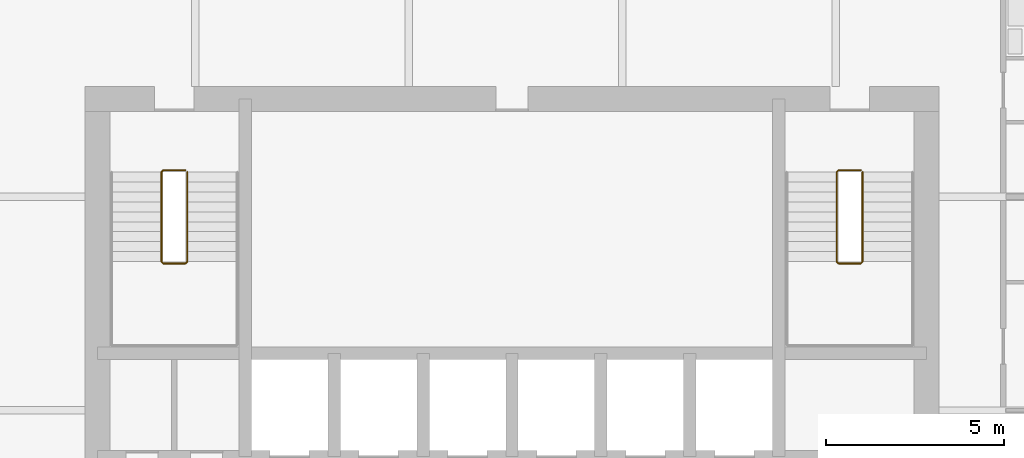
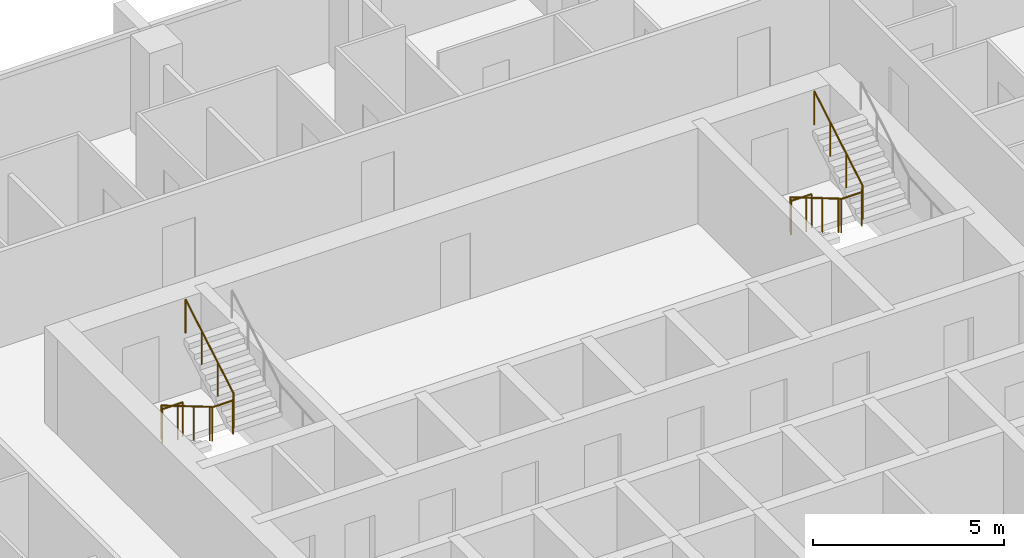
# One storey, part 10 of 11: 2 railings.
"""IFC4 building model written with IfcOpenShell, lengths in metres."""

from ifc_helpers import new_model, si_unit, direction, frame, origin, origin_2d, place, context, subcontext, project, spatial, circle, extrude, material, type_object, element, save


model = new_model("IFC4")

# Units and contexts
model_context = context("Model", 3, precision=1e-05, world=origin(), true_north=direction((0.0, 1.0)))
body_context = subcontext(model_context, "Body", "Model", "MODEL_VIEW")
ifc_project = project(units=[si_unit("LENGTHUNIT", "METRE"), si_unit("AREAUNIT", "SQUARE_METRE"), si_unit("VOLUMEUNIT", "CUBIC_METRE"), si_unit("PLANEANGLEUNIT", "RADIAN"), si_unit("MASSUNIT", "GRAM", prefix="KILO")], contexts=[model_context])

# Site, building, storey
site_placement = place(None, origin())
site = spatial("IfcSite", under=ifc_project, at=site_placement, CompositionType="ELEMENT")
building_placement = place(site_placement, origin())
building = spatial("IfcBuilding", under=site, at=building_placement, Name="Amberfall Residences", CompositionType="ELEMENT")
storey_placement = place(building_placement, frame((0.0, 0.0, 154.89990234375)))
storey = spatial("IfcBuildingStorey", under=building, at=storey_placement, Name="L41", CompositionType="ELEMENT", Elevation=154.89990234375)

# Railings
ifc_material = material(Name="Stainless steel 316", Category="steel")
railing_type = type_object("IfcRailingType", Name="Stair guard 1100", PredefinedType="GUARDRAIL", material=ifc_material)
railing_1_placement = place(storey_placement, frame((84.300048828125, 55.14990234375, 0.0)))
element("IfcRailing", 1, at=railing_1_placement, inside=storey, type_object=railing_type, Name="L41 stair 3 guard", PredefinedType="GUARDRAIL", context=body_context, shape_type="SweptSolid", body=[
    extrude(circle(Radius=0.02392578125, at=origin_2d()), frame((0.0, 0.0, 1.076171875), z_axis=(-1.0, 0.0, 0.0), x_axis=(0.0, -1.0, 0.0)), (0.0, 0.0, 1.0), 0.625),
    extrude(circle(Radius=0.02392578125, at=origin_2d()), frame((-0.625, 0.0, 1.076171875), z_axis=(-0.278810427259, -0.277450376394, 0.919394384522), x_axis=(0.705375805398, -0.708833529934, 0.0)), (0.0, 0.0, 1.0), 0.179443359375),
    extrude(circle(Radius=0.02392578125, at=origin_2d()), frame((-0.675048828125, -0.0498046875, 1.2412109375), z_axis=(0.0, -0.86152411907, 0.507716645641), x_axis=(1.0, 0.0, 0.0)), (0.0, 0.0, 1.0), 2.925048828125),
    extrude(circle(Radius=0.02392578125, at=origin_2d()), frame((-0.675048828125, -2.56982421875, 2.72607421875), z_axis=(0.707106781187, -0.707106781187, 0.0), x_axis=(0.707106781187, 0.707106781187, 0.0)), (0.0, 0.0, 1.0), 0.07080078125),
    extrude(circle(Radius=0.02392578125, at=origin_2d()), frame((-0.625, -2.619873046875, 2.72607421875), z_axis=(1.0, 0.0, 0.0), x_axis=(0.0, 1.0, 0.0)), (0.0, 0.0, 1.0), 0.625),
    extrude(circle(Radius=0.02392578125, at=origin_2d()), frame((0.0, -2.619873046875, 2.72607421875), z_axis=(0.278705021027, 0.278705021027, 0.919046801044), x_axis=(-0.707106781187, 0.707106781187, 0.0)), (0.0, 0.0, 1.0), 0.1796875),
    extrude(circle(Radius=0.02392578125, at=origin_2d()), frame((0.050048828125, -2.56982421875, 2.89111328125), z_axis=(0.0, 0.861560626758, 0.507654692109), x_axis=(-1.0, 0.0, 0.0)), (0.0, 0.0, 1.0), 2.925048828125),
    extrude(circle(Radius=0.02099609375, at=origin_2d()), origin(), (0.0, 0.0, 1.0), 1.052001953125),
    extrude(circle(Radius=0.02099609375, at=origin_2d()), frame((-0.625, 0.0, 0.0)), (0.0, 0.0, 1.0), 1.052001953125),
    extrude(circle(Radius=0.02099609375, at=origin_2d()), frame((-0.675048828125, -0.0498046875, 0.1650390625)), (0.0, 0.0, 1.0), 1.052001953125),
    extrude(circle(Radius=0.02099609375, at=origin_2d()), frame((-0.675048828125, -0.889892578125, 0.66015625)), (0.0, 0.0, 1.0), 1.052001953125),
    extrude(circle(Radius=0.02099609375, at=origin_2d()), frame((-0.675048828125, -1.729736328125, 1.155029296875)), (0.0, 0.0, 1.0), 1.052001953125),
    extrude(circle(Radius=0.02099609375, at=origin_2d()), frame((-0.675048828125, -2.56982421875, 1.650146484375)), (0.0, 0.0, 1.0), 1.052001953125),
    extrude(circle(Radius=0.02099609375, at=origin_2d()), frame((-0.625, -2.619873046875, 1.650146484375)), (0.0, 0.0, 1.0), 1.052001953125),
    extrude(circle(Radius=0.02099609375, at=origin_2d()), frame((0.0, -2.619873046875, 1.650146484375)), (0.0, 0.0, 1.0), 1.052001953125),
    extrude(circle(Radius=0.02099609375, at=origin_2d()), frame((0.050048828125, -2.56982421875, 1.815185546875)), (0.0, 0.0, 1.0), 1.052001953125),
    extrude(circle(Radius=0.02099609375, at=origin_2d()), frame((0.050048828125, -1.729736328125, 2.31005859375)), (0.0, 0.0, 1.0), 1.052001953125),
    extrude(circle(Radius=0.02099609375, at=origin_2d()), frame((0.050048828125, -0.889892578125, 2.80517578125)), (0.0, 0.0, 1.0), 1.052001953125),
    extrude(circle(Radius=0.02099609375, at=origin_2d()), frame((0.050048828125, -0.0498046875, 3.300048828125)), (0.0, 0.0, 1.0), 1.052001953125),
])
railing_2_placement = place(storey_placement, frame((65.324951171875, 55.14990234375, 0.0)))
element("IfcRailing", 2, at=railing_2_placement, inside=storey, type_object=railing_type, Name="L41 stair 4 guard", PredefinedType="GUARDRAIL", context=body_context, shape_type="SweptSolid", body=[
    extrude(circle(Radius=0.02392578125, at=origin_2d()), frame((0.0, 0.0, 1.076171875), z_axis=(-1.0, 0.0, 0.0), x_axis=(0.0, -1.0, 0.0)), (0.0, 0.0, 1.0), 0.625),
    extrude(circle(Radius=0.02392578125, at=origin_2d()), frame((-0.625, 0.0, 1.076171875), z_axis=(-0.278810427259, -0.277450376394, 0.919394384522), x_axis=(0.705375805398, -0.708833529934, 0.0)), (0.0, 0.0, 1.0), 0.179443359375),
    extrude(circle(Radius=0.02392578125, at=origin_2d()), frame((-0.675048828125, -0.0498046875, 1.2412109375), z_axis=(0.0, -0.86152411907, 0.507716645641), x_axis=(1.0, 0.0, 0.0)), (0.0, 0.0, 1.0), 2.925048828125),
    extrude(circle(Radius=0.02392578125, at=origin_2d()), frame((-0.675048828125, -2.56982421875, 2.72607421875), z_axis=(0.707106781187, -0.707106781187, 0.0), x_axis=(0.707106781187, 0.707106781187, 0.0)), (0.0, 0.0, 1.0), 0.07080078125),
    extrude(circle(Radius=0.02392578125, at=origin_2d()), frame((-0.625, -2.619873046875, 2.72607421875), z_axis=(1.0, 0.0, 0.0), x_axis=(0.0, 1.0, 0.0)), (0.0, 0.0, 1.0), 0.625),
    extrude(circle(Radius=0.02392578125, at=origin_2d()), frame((0.0, -2.619873046875, 2.72607421875), z_axis=(0.278705021027, 0.278705021027, 0.919046801044), x_axis=(-0.707106781187, 0.707106781187, 0.0)), (0.0, 0.0, 1.0), 0.1796875),
    extrude(circle(Radius=0.02392578125, at=origin_2d()), frame((0.050048828125, -2.56982421875, 2.89111328125), z_axis=(0.0, 0.861560626758, 0.507654692109), x_axis=(-1.0, 0.0, 0.0)), (0.0, 0.0, 1.0), 2.925048828125),
    extrude(circle(Radius=0.02099609375, at=origin_2d()), origin(), (0.0, 0.0, 1.0), 1.052001953125),
    extrude(circle(Radius=0.02099609375, at=origin_2d()), frame((-0.625, 0.0, 0.0)), (0.0, 0.0, 1.0), 1.052001953125),
    extrude(circle(Radius=0.02099609375, at=origin_2d()), frame((-0.675048828125, -0.0498046875, 0.1650390625)), (0.0, 0.0, 1.0), 1.052001953125),
    extrude(circle(Radius=0.02099609375, at=origin_2d()), frame((-0.675048828125, -0.889892578125, 0.66015625)), (0.0, 0.0, 1.0), 1.052001953125),
    extrude(circle(Radius=0.02099609375, at=origin_2d()), frame((-0.675048828125, -1.729736328125, 1.155029296875)), (0.0, 0.0, 1.0), 1.052001953125),
    extrude(circle(Radius=0.02099609375, at=origin_2d()), frame((-0.675048828125, -2.56982421875, 1.650146484375)), (0.0, 0.0, 1.0), 1.052001953125),
    extrude(circle(Radius=0.02099609375, at=origin_2d()), frame((-0.625, -2.619873046875, 1.650146484375)), (0.0, 0.0, 1.0), 1.052001953125),
    extrude(circle(Radius=0.02099609375, at=origin_2d()), frame((0.0, -2.619873046875, 1.650146484375)), (0.0, 0.0, 1.0), 1.052001953125),
    extrude(circle(Radius=0.02099609375, at=origin_2d()), frame((0.050048828125, -2.56982421875, 1.815185546875)), (0.0, 0.0, 1.0), 1.052001953125),
    extrude(circle(Radius=0.02099609375, at=origin_2d()), frame((0.050048828125, -1.729736328125, 2.31005859375)), (0.0, 0.0, 1.0), 1.052001953125),
    extrude(circle(Radius=0.02099609375, at=origin_2d()), frame((0.050048828125, -0.889892578125, 2.80517578125)), (0.0, 0.0, 1.0), 1.052001953125),
    extrude(circle(Radius=0.02099609375, at=origin_2d()), frame((0.050048828125, -0.0498046875, 3.300048828125)), (0.0, 0.0, 1.0), 1.052001953125),
])

save(model, "model.ifc")
